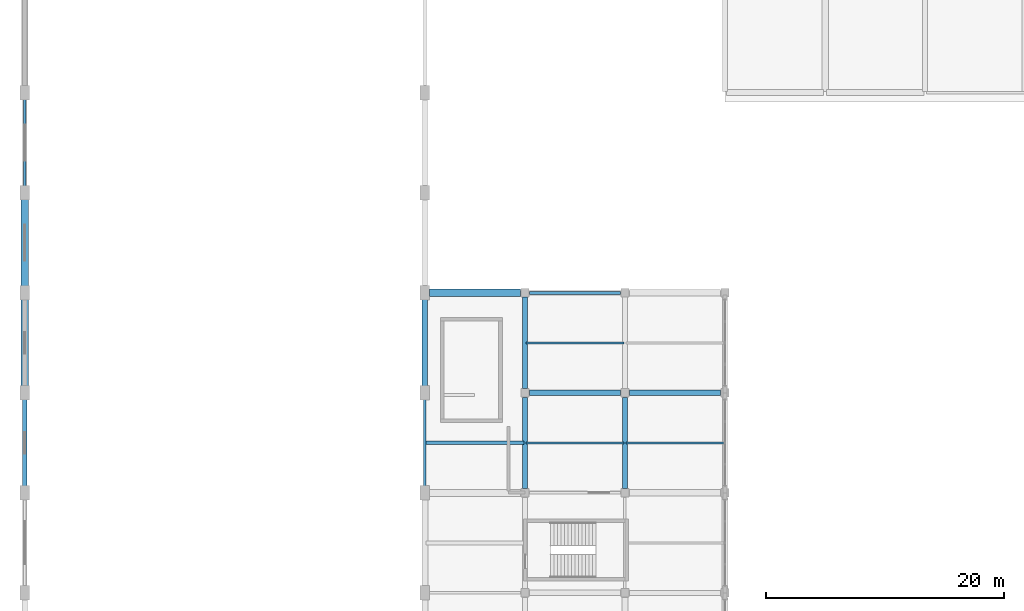
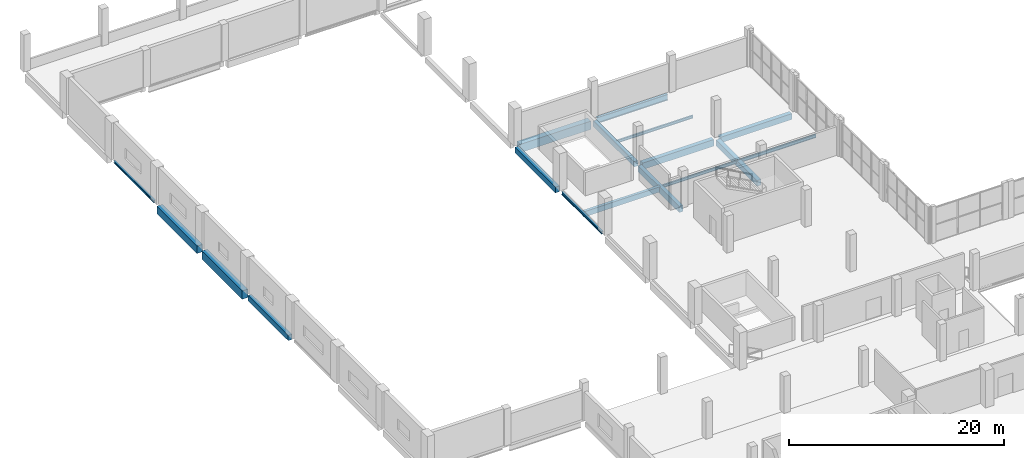
# One storey, part 27 of 59: 17 beams.
"""IFC4 building model written with IfcOpenShell, lengths in metres."""

from ifc_helpers import new_model, si_unit, derived_unit, direction, frame, origin, origin_2d, place, context, subcontext, project, spatial, rectangle, i_section, extrude, material, material_profile, profile_set, type_object, element, save


model = new_model("IFC4")

# Units and contexts
model_context = context("Model", 3, precision=1e-05, world=origin(), true_north=direction((0.0, 1.0)))
body_context = subcontext(model_context, "Body", "Model", "MODEL_VIEW")
ifc_project = project(units=[si_unit("LENGTHUNIT", "METRE"), si_unit("AREAUNIT", "SQUARE_METRE"), si_unit("VOLUMEUNIT", "CUBIC_METRE"), si_unit("PLANEANGLEUNIT", "RADIAN"), si_unit("MASSUNIT", "GRAM", prefix="KILO"), derived_unit("THERMALTRANSMITTANCEUNIT", [(si_unit("POWERUNIT", "WATT"), 1), (si_unit("LENGTHUNIT", "METRE"), -2), (si_unit("THERMODYNAMICTEMPERATUREUNIT", "KELVIN"), -1)])], contexts=[model_context])

# Site, building, storey
site_placement = place(None, origin())
site = spatial("IfcSite", under=ifc_project, at=site_placement, CompositionType="ELEMENT")
building_placement = place(site_placement, origin())
building = spatial("IfcBuilding", under=site, at=building_placement, Name="Barrovel Congress Hotel", CompositionType="ELEMENT")
storey_placement = place(building_placement, frame((0.0, 0.0, 9.89990234375)))
storey = spatial("IfcBuildingStorey", under=building, at=storey_placement, Name="L02", CompositionType="ELEMENT", Elevation=9.89990234375)

# Beams
ifc_material_1 = material(Name="Concrete C40", Category="concrete")
ifc_material_profile_1 = material_profile(ifc_material_1, rectangle(XDim=0.300048828125, YDim=0.60009765625, at=origin_2d()), Name="RC300x600")
ifc_profile_set_1 = profile_set([ifc_material_profile_1], Name="Concrete C40")
beam_type_1 = type_object("IfcBeamType", Name="BM-RC300x600", PredefinedType="JOIST", material=ifc_profile_set_1)
beam_1_placement = place(storey_placement, frame((33.679931640625, 67.199951171875, -0.559814453125), z_axis=(1.0, 0.0, 0.0), x_axis=(0.0, 1.0, 0.0)))
element("IfcBeam", 1, at=beam_1_placement, inside=storey, type_object=beam_type_1, Name="JST:L02:33.6:67.2", PredefinedType="JOIST", context=body_context, shape_type="SweptSolid", body=[
    extrude(rectangle(XDim=0.300048828125, YDim=0.60009765625, at=origin_2d()), origin(), (0.0, 0.0, 1.0), 8.239990234375),
])
ifc_material_profile_2 = material_profile(ifc_material_1, rectangle(XDim=0.39990234375, YDim=0.60009765625, at=origin_2d()), Name="RC400x600")
ifc_profile_set_2 = profile_set([ifc_material_profile_2], Name="Concrete C40")
beam_type_2 = type_object("IfcBeamType", Name="BM-RC400x600", PredefinedType="BEAM", material=ifc_profile_set_2)
beam_2_placement = place(storey_placement, frame((0.0, 63.449951171875, -0.559814453125), z_axis=(0.0, 1.0, 0.0), x_axis=(-1.0, 0.0, 0.0)))
element("IfcBeam", 2, at=beam_2_placement, inside=storey, type_object=beam_type_2, Name="BMY:L02:0.0:63.0-71.4", PredefinedType="BEAM", context=body_context, shape_type="SweptSolid", body=[
    extrude(rectangle(XDim=0.39990234375, YDim=0.60009765625, at=origin_2d()), origin(), (0.0, 0.0, 1.0), 7.5),
])
beam_3_placement = place(storey_placement, frame((42.0, 71.77490234375, -0.559814453125), z_axis=(0.0, 1.0, 0.0), x_axis=(-1.0, 0.0, 0.0)))
element("IfcBeam", 3, at=beam_3_placement, inside=storey, type_object=beam_type_2, Name="BMY:L02:42.0:71.4-79.8", PredefinedType="BEAM", context=body_context, shape_type="SweptSolid", body=[
    extrude(rectangle(XDim=0.39990234375, YDim=0.60009765625, at=origin_2d()), origin(), (0.0, 0.0, 1.0), 7.650146484375),
])
ifc_material_profile_3 = material_profile(ifc_material_1, rectangle(XDim=0.39990234375, YDim=0.699951171875, at=origin_2d()), Name="RC400x700")
ifc_profile_set_3 = profile_set([ifc_material_profile_3], Name="Concrete C40")
beam_type_3 = type_object("IfcBeamType", Name="BM-RC400x700", PredefinedType="BEAM", material=ifc_profile_set_3)
beam_4_placement = place(storey_placement, frame((42.0, 63.375, -0.60986328125), z_axis=(0.0, 1.0, 0.0), x_axis=(-1.0, 0.0, 0.0)))
element("IfcBeam", 4, at=beam_4_placement, inside=storey, type_object=beam_type_3, Name="BMY:L02:42.0:63.0-71.4", PredefinedType="BEAM", context=body_context, shape_type="SweptSolid", body=[
    extrude(rectangle(XDim=0.39990234375, YDim=0.699951171875, at=origin_2d()), origin(), (0.0, 0.0, 1.0), 7.64990234375),
])
ifc_material_profile_4 = material_profile(ifc_material_1, rectangle(XDim=0.449951171875, YDim=0.64990234375, at=origin_2d()), Name="RC450x650")
ifc_profile_set_4 = profile_set([ifc_material_profile_4], Name="Concrete C40")
beam_type_4 = type_object("IfcBeamType", Name="BM-RC450x650", PredefinedType="BEAM", material=ifc_profile_set_4)
beam_5_placement = place(storey_placement, frame((50.77490234375, 71.39990234375, -0.5849609375), z_axis=(1.0, 0.0, 0.0), x_axis=(0.0, 1.0, 0.0)))
element("IfcBeam", 5, at=beam_5_placement, inside=storey, type_object=beam_type_4, Name="BMX:L02:71.4:50.4-58.8", PredefinedType="BEAM", context=body_context, shape_type="SweptSolid", body=[
    extrude(rectangle(XDim=0.449951171875, YDim=0.64990234375, at=origin_2d()), origin(), (0.0, 0.0, 1.0), 7.650146484375),
])
beam_6_placement = place(storey_placement, frame((33.60009765625, 71.85009765625, -0.5849609375), z_axis=(0.0, 1.0, 0.0), x_axis=(-1.0, 0.0, 0.0)))
element("IfcBeam", 6, at=beam_6_placement, inside=storey, type_object=beam_type_4, Name="BMY:L02:33.6:71.4-79.8", PredefinedType="BEAM", context=body_context, shape_type="SweptSolid", body=[
    extrude(rectangle(XDim=0.449951171875, YDim=0.64990234375, at=origin_2d()), origin(), (0.0, 0.0, 1.0), 7.5),
])
beam_7_placement = place(storey_placement, frame((50.39990234375, 63.375, -0.5849609375), z_axis=(0.0, 1.0, 0.0), x_axis=(-1.0, 0.0, 0.0)))
element("IfcBeam", 7, at=beam_7_placement, inside=storey, type_object=beam_type_4, Name="BMY:L02:50.4:63.0-71.4", PredefinedType="BEAM", context=body_context, shape_type="SweptSolid", body=[
    extrude(rectangle(XDim=0.449951171875, YDim=0.64990234375, at=origin_2d()), origin(), (0.0, 0.0, 1.0), 7.64990234375),
])
ifc_material_profile_5 = material_profile(ifc_material_1, rectangle(XDim=0.449951171875, YDim=0.75, at=origin_2d()), Name="RC450x750")
ifc_profile_set_5 = profile_set([ifc_material_profile_5], Name="Concrete C40")
beam_type_5 = type_object("IfcBeamType", Name="BM-RC450x750", PredefinedType="BEAM", material=ifc_profile_set_5)
beam_8_placement = place(storey_placement, frame((42.375, 71.39990234375, -0.635009765625), z_axis=(1.0, 0.0, 0.0), x_axis=(0.0, 1.0, 0.0)))
element("IfcBeam", 8, at=beam_8_placement, inside=storey, type_object=beam_type_5, Name="BMX:L02:71.4:42.0-50.4", PredefinedType="BEAM", context=body_context, shape_type="SweptSolid", body=[
    extrude(rectangle(XDim=0.449951171875, YDim=0.75, at=origin_2d()), origin(), (0.0, 0.0, 1.0), 7.64990234375),
])
ifc_material_profile_6 = material_profile(ifc_material_1, rectangle(XDim=0.60009765625, YDim=0.85009765625, at=origin_2d()), Name="RC600x850")
ifc_profile_set_6 = profile_set([ifc_material_profile_6], Name="Concrete C40")
beam_type_6 = type_object("IfcBeamType", Name="BM-RC600x850", PredefinedType="BEAM", material=ifc_profile_set_6)
beam_9_placement = place(storey_placement, frame((0.0, 80.25, -0.684814453125), z_axis=(0.0, 1.0, 0.0), x_axis=(-1.0, 0.0, 0.0)))
element("IfcBeam", 9, at=beam_9_placement, inside=storey, type_object=beam_type_6, Name="BMY:L02:0.0:79.8-88.2", PredefinedType="BEAM", context=body_context, shape_type="SweptSolid", body=[
    extrude(rectangle(XDim=0.60009765625, YDim=0.85009765625, at=origin_2d()), origin(), (0.0, 0.0, 1.0), 7.5),
])
ifc_material_profile_7 = material_profile(ifc_material_1, rectangle(XDim=0.60009765625, YDim=0.949951171875, at=origin_2d()), Name="RC600x950")
ifc_profile_set_7 = profile_set([ifc_material_profile_7], Name="Concrete C40")
beam_type_7 = type_object("IfcBeamType", Name="BM-RC600x950", PredefinedType="BEAM", material=ifc_profile_set_7)
beam_10_placement = place(storey_placement, frame((34.0, 79.800048828125, -0.73486328125), z_axis=(1.0, 0.0, 0.0), x_axis=(0.0, 1.0, 0.0)))
element("IfcBeam", 10, at=beam_10_placement, inside=storey, type_object=beam_type_7, Name="BMX:L02:79.8:33.6-42.0", PredefinedType="BEAM", context=body_context, shape_type="SweptSolid", body=[
    extrude(rectangle(XDim=0.60009765625, YDim=0.949951171875, at=origin_2d()), origin(), (0.0, 0.0, 1.0), 7.625),
])
beam_11_placement = place(storey_placement, frame((0.0, 71.85009765625, -0.73486328125), z_axis=(0.0, 1.0, 0.0), x_axis=(-1.0, 0.0, 0.0)))
element("IfcBeam", 11, at=beam_11_placement, inside=storey, type_object=beam_type_7, Name="BMY:L02:0.0:71.4-79.8", PredefinedType="BEAM", context=body_context, shape_type="SweptSolid", body=[
    extrude(rectangle(XDim=0.60009765625, YDim=0.949951171875, at=origin_2d()), origin(), (0.0, 0.0, 1.0), 7.5),
])
ifc_material_2 = material(Name="Steel ASTM A992 Grade 50", Category="steel")
ifc_material_profile_8 = material_profile(ifc_material_2, i_section(OverallWidth=0.201904296875, OverallDepth=0.2470703125, WebThickness=0.00732421875, FlangeThickness=0.010986328125, FilletRadius=0.011962890625, at=origin_2d()), Name="W250x49")
ifc_profile_set_8 = profile_set([ifc_material_profile_8], Name="Steel ASTM A992 Grade 50")
beam_type_8 = type_object("IfcBeamType", Name="SBM-W250x49", PredefinedType="SPANDREL", material=ifc_profile_set_8)
beam_12_placement = place(storey_placement, frame((0.0, 88.64990234375, -0.38330078125), z_axis=(0.0, 1.0, 0.0), x_axis=(-1.0, 0.0, 0.0)))
element("IfcBeam", 12, at=beam_12_placement, inside=storey, type_object=beam_type_8, Name="BMY:L02:0.0:88.2-96.6", PredefinedType="SPANDREL", context=body_context, shape_type="SweptSolid", body=[
    extrude(i_section(OverallWidth=0.201904296875, OverallDepth=0.2470703125, WebThickness=0.00732421875, FlangeThickness=0.010986328125, FilletRadius=0.011962890625, at=origin_2d()), origin(), (0.0, 0.0, 1.0), 7.5),
])
ifc_material_profile_9 = material_profile(ifc_material_2, i_section(OverallWidth=0.1650390625, OverallDepth=0.31005859375, WebThickness=0.005859375, FlangeThickness=0.009765625, FilletRadius=0.010986328125, at=origin_2d()), Name="W310x39")
ifc_profile_set_9 = profile_set([ifc_material_profile_9], Name="Steel ASTM A992 Grade 50")
beam_type_9 = type_object("IfcBeamType", Name="SBM-W310x39", PredefinedType="JOIST", material=ifc_profile_set_9)
beam_13_placement = place(storey_placement, frame((42.080078125, 75.60009765625, -0.414794921875), z_axis=(1.0, 0.0, 0.0), x_axis=(0.0, 1.0, 0.0)))
element("IfcBeam", 13, at=beam_13_placement, inside=storey, type_object=beam_type_9, Name="JST:L02:42.0:75.6", PredefinedType="JOIST", context=body_context, shape_type="SweptSolid", body=[
    extrude(i_section(OverallWidth=0.1650390625, OverallDepth=0.31005859375, WebThickness=0.005859375, FlangeThickness=0.009765625, FilletRadius=0.010986328125, at=origin_2d()), origin(), (0.0, 0.0, 1.0), 8.239990234375),
])
ifc_material_profile_10 = material_profile(ifc_material_2, i_section(OverallWidth=0.1669921875, OverallDepth=0.31689453125, WebThickness=0.007568359375, FlangeThickness=0.01318359375, FilletRadius=0.010986328125, at=origin_2d()), Name="W310x52")
ifc_profile_set_10 = profile_set([ifc_material_profile_10], Name="Steel ASTM A992 Grade 50")
beam_type_10 = type_object("IfcBeamType", Name="SBM-W310x52", PredefinedType="JOIST", material=ifc_profile_set_10)
beam_14_placement = place(storey_placement, frame((42.080078125, 67.199951171875, -0.41845703125), z_axis=(1.0, 0.0, 0.0), x_axis=(0.0, 1.0, 0.0)))
element("IfcBeam", 14, at=beam_14_placement, inside=storey, type_object=beam_type_10, Name="JST:L02:42.0:67.2", PredefinedType="JOIST", context=body_context, shape_type="SweptSolid", body=[
    extrude(i_section(OverallWidth=0.1669921875, OverallDepth=0.31689453125, WebThickness=0.007568359375, FlangeThickness=0.01318359375, FilletRadius=0.010986328125, at=origin_2d()), origin(), (0.0, 0.0, 1.0), 8.239990234375),
])
ifc_material_profile_11 = material_profile(ifc_material_2, i_section(OverallWidth=0.205078125, OverallDepth=0.31005859375, WebThickness=0.009521484375, FlangeThickness=0.016357421875, FilletRadius=0.012939453125, at=origin_2d()), Name="W310x74")
ifc_profile_set_11 = profile_set([ifc_material_profile_11], Name="Steel ASTM A992 Grade 50")
beam_type_11 = type_object("IfcBeamType", Name="SBM-W310x74", PredefinedType="SPANDREL", material=ifc_profile_set_11)
beam_15_placement = place(storey_placement, frame((33.60009765625, 63.449951171875, -0.414794921875), z_axis=(0.0, 1.0, 0.0), x_axis=(-1.0, 0.0, 0.0)))
element("IfcBeam", 15, at=beam_15_placement, inside=storey, type_object=beam_type_11, Name="BMY:L02:33.6:63.0-71.4", PredefinedType="SPANDREL", context=body_context, shape_type="SweptSolid", body=[
    extrude(i_section(OverallWidth=0.205078125, OverallDepth=0.31005859375, WebThickness=0.009521484375, FlangeThickness=0.016357421875, FilletRadius=0.012939453125, at=origin_2d()), origin(), (0.0, 0.0, 1.0), 7.5),
])
ifc_material_profile_12 = material_profile(ifc_material_2, i_section(OverallWidth=0.172119140625, OverallDepth=0.35791015625, WebThickness=0.0078125, FlangeThickness=0.01318359375, FilletRadius=0.011962890625, at=origin_2d()), Name="W360x57")
ifc_profile_set_12 = profile_set([ifc_material_profile_12], Name="Steel ASTM A992 Grade 50")
beam_type_12 = type_object("IfcBeamType", Name="SBM-W360x57", PredefinedType="JOIST", material=ifc_profile_set_12)
beam_16_placement = place(storey_placement, frame((50.47998046875, 67.199951171875, -0.43896484375), z_axis=(1.0, 0.0, 0.0), x_axis=(0.0, 1.0, 0.0)))
element("IfcBeam", 16, at=beam_16_placement, inside=storey, type_object=beam_type_12, Name="JST:L02:50.4:67.2", PredefinedType="JOIST", context=body_context, shape_type="SweptSolid", body=[
    extrude(i_section(OverallWidth=0.172119140625, OverallDepth=0.35791015625, WebThickness=0.0078125, FlangeThickness=0.01318359375, FilletRadius=0.011962890625, at=origin_2d()), origin(), (0.0, 0.0, 1.0), 8.239990234375),
])
ifc_material_profile_13 = material_profile(ifc_material_2, i_section(OverallWidth=0.25390625, OverallDepth=0.68408203125, WebThickness=0.012451171875, FlangeThickness=0.01904296875, FilletRadius=0.014892578125, at=origin_2d()), Name="W690x140")
ifc_profile_set_13 = profile_set([ifc_material_profile_13], Name="Steel ASTM A992 Grade 50")
beam_type_13 = type_object("IfcBeamType", Name="SBM-W690x140", PredefinedType="BEAM", material=ifc_profile_set_13)
beam_17_placement = place(storey_placement, frame((42.375, 79.800048828125, -0.601806640625), z_axis=(1.0, 0.0, 0.0), x_axis=(0.0, 1.0, 0.0)))
element("IfcBeam", 17, at=beam_17_placement, inside=storey, type_object=beam_type_13, Name="BMX:L02:79.8:42.0-50.4", PredefinedType="BEAM", context=body_context, shape_type="SweptSolid", body=[
    extrude(i_section(OverallWidth=0.25390625, OverallDepth=0.68408203125, WebThickness=0.012451171875, FlangeThickness=0.01904296875, FilletRadius=0.014892578125, at=origin_2d()), origin(), (0.0, 0.0, 1.0), 7.64990234375),
])

save(model, "model.ifc")
